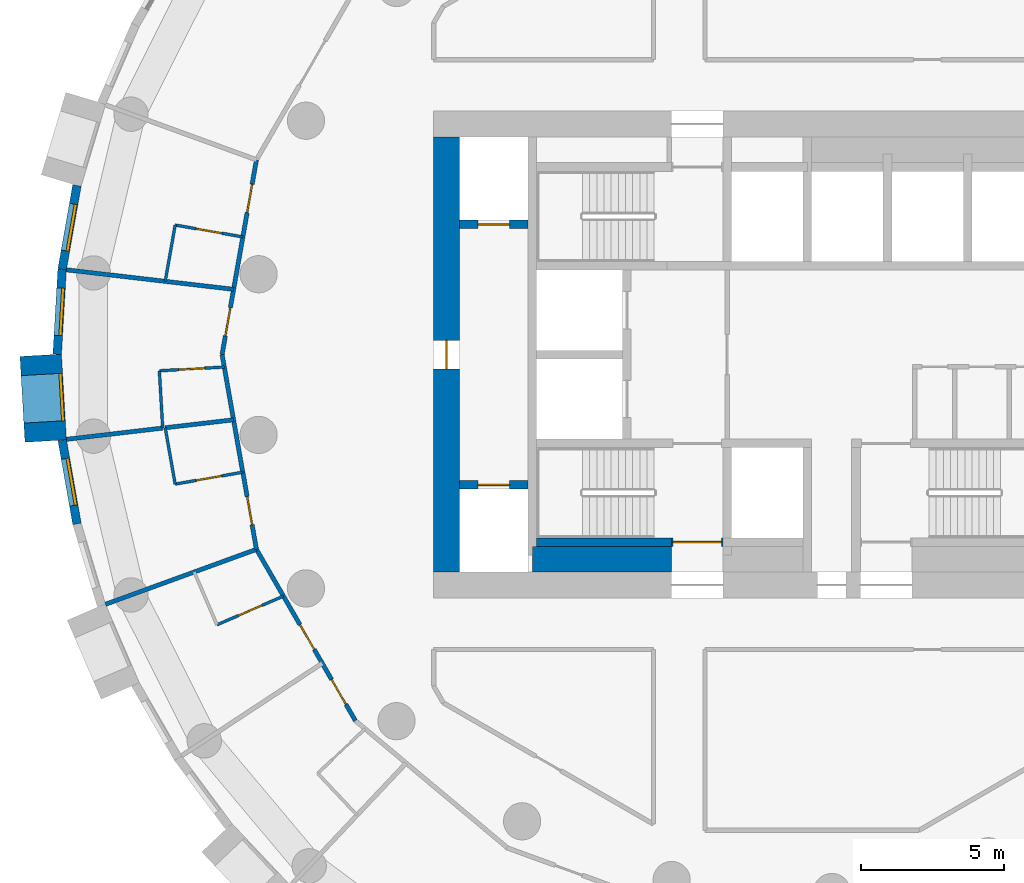
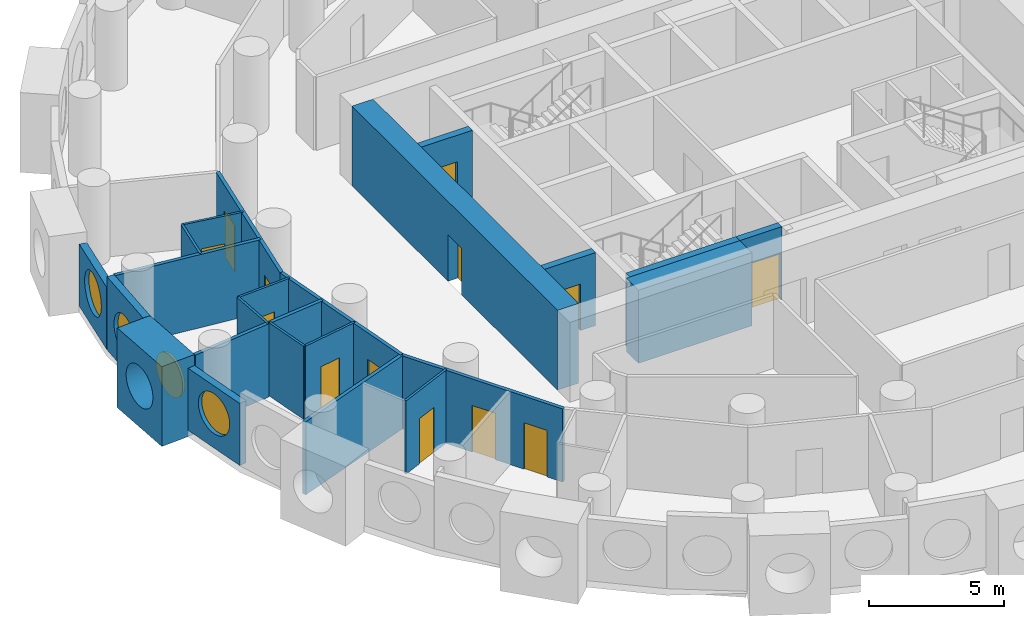
# One storey, part 3 of 9: 25 walls, 13 doors, 4 windows, 17 openings.
"""IFC4 building model written with IfcOpenShell, lengths in metres."""

from ifc_helpers import new_model, si_unit, direction, frame, frame_2d, origin, origin_2d, place, context, subcontext, project, spatial, rectangle, circle, extrude, material, layer, layer_set, type_object, element, fill, save


model = new_model("IFC4")

# Units and contexts
model_context = context("Model", 3, precision=1e-05, world=origin(), true_north=direction((0.0, 1.0)))
body_context = subcontext(model_context, "Body", "Model", "MODEL_VIEW")
ifc_project = project(units=[si_unit("LENGTHUNIT", "METRE"), si_unit("AREAUNIT", "SQUARE_METRE"), si_unit("VOLUMEUNIT", "CUBIC_METRE"), si_unit("PLANEANGLEUNIT", "RADIAN"), si_unit("MASSUNIT", "GRAM", prefix="KILO")], contexts=[model_context])

# Site, building, storey
site_placement = place(None, origin())
site = spatial("IfcSite", under=ifc_project, at=site_placement, CompositionType="ELEMENT")
building_placement = place(site_placement, origin())
building = spatial("IfcBuilding", under=site, at=building_placement, Name="Tracery Tower", CompositionType="ELEMENT")
storey_placement = place(building_placement, frame((0.0, 0.0, 208.800048828125)))
storey = spatial("IfcBuildingStorey", under=building, at=storey_placement, Name="L54", CompositionType="ELEMENT", Elevation=208.800048828125)

# Wall
ifc_material_1 = material(Name="Concrete C50/60", Category="concrete")
ifc_layer_1 = layer(ifc_material_1, 0.89990234375)
ifc_layer_set_1 = layer_set([ifc_layer_1], Name="Core strip wall 900 C50")
wall_type_1 = type_object("IfcWallType", Name="Core strip wall 900 C50", PredefinedType="SOLIDWALL", material=ifc_layer_set_1)
wall_1_placement = place(storey_placement, frame((-9.050048828125, -7.14990234375, 0.0), z_axis=(0.0, 0.0, 1.0), x_axis=(1.0, 0.0, 0.0)))
element("IfcWall", 1, at=wall_1_placement, inside=storey, type_object=wall_type_1, Name="L54 F thick S W", PredefinedType="SOLIDWALL", context=body_context, shape_type="SweptSolid", body=[
    extrude(rectangle(XDim=4.85009765625, YDim=0.89990234375, at=frame_2d((2.425048828125, 0.0))), origin(), (0.0, 0.0, 1.0), 3.300048828125),
])

# Wall, opening, door
ifc_material_2 = material(Name="Concrete C50/60", Category="concrete")
ifc_layer_2 = layer(ifc_material_2, 0.89990234375)
ifc_layer_set_2 = layer_set([ifc_layer_2], Name="Core wall 900 C50")
wall_type_2 = type_object("IfcWallType", Name="Core wall 900 C50", PredefinedType="SOLIDWALL", material=ifc_layer_set_2)
wall_2_placement = place(storey_placement, frame((-12.050048828125, -7.60009765625, 0.0), z_axis=(0.0, 0.0, 1.0), x_axis=(0.0, 1.0, 0.0)))
wall_2 = element("IfcWall", 2, at=wall_2_placement, inside=storey, type_object=wall_type_2, Name="L54 outer W", PredefinedType="SOLIDWALL", context=body_context, shape_type="SweptSolid", body=[
    extrude(rectangle(XDim=15.2001953125, YDim=0.89990234375, at=frame_2d((7.60009765625, 0.0))), origin(), (0.0, 0.0, 1.0), 3.599853515625),
])
opening_1_placement = place(wall_2_placement, frame((7.10009765625, 0.0, 0.0)))
opening_1 = element("IfcOpeningElement", 3, at=opening_1_placement, cuts=wall_2, Name="Opening KD18", PredefinedType="OPENING", context=body_context, shape_type="SweptSolid", body=[
    extrude(rectangle(XDim=1.0, YDim=2.10009765625, at=frame_2d((0.5, 1.050048828125))), frame((0.0, 0.449951171875, 0.0), z_axis=(0.0, -1.0, 0.0), x_axis=(1.0, 0.0, 0.0)), (0.0, 0.0, 1.0), 0.89990234375),
])
ifc_material_3 = material(Name="Steel fire door", Category="steel")
door_type_1 = type_object("IfcDoorType", Name="Core exit door 1000", OperationType="NOTDEFINED", PredefinedType="DOOR", material=ifc_material_3)
door_1_placement = place(opening_1_placement, origin())
door_1 = element("IfcDoor", 4, at=door_1_placement, inside=storey, type_object=door_type_1, Name="Core exit door", OperationType="DOUBLE_DOOR_SINGLE_SWING", OverallHeight=2.10009765625, OverallWidth=1.0, PredefinedType="DOOR", context=body_context, shape_type="SweptSolid", body=[
    extrude(rectangle(XDim=1.0, YDim=2.10009765625, at=frame_2d((0.5, 1.050048828125))), frame((0.0, 0.02490234375, 0.0), z_axis=(0.0, -1.0, 0.0), x_axis=(1.0, 0.0, 0.0)), (0.0, 0.0, 1.0), 0.050048828125),
])
fill(opening_1, door_1)

# Wall, opening, window
ifc_material_4 = material(Name="Precast concrete C50/60", Category="concrete")
ifc_layer_3 = layer(ifc_material_4, 1.449951171875)
ifc_layer_set_3 = layer_set([ifc_layer_3], Name="Deep-set bay unit 3000 x 3600, slab edge 300")
wall_type_3 = type_object("IfcWallType", Name="Deep-set bay unit 3000 x 3600, slab edge 300", PredefinedType="ELEMENTEDWALL", material=ifc_layer_set_3)
wall_3_placement = place(storey_placement, frame((-26.221923828125, -0.024658203125, -0.300048828125), z_axis=(0.0, 0.0, 1.0), x_axis=(0.058106596105, -0.998310384344, 0.0)))
wall_3 = element("IfcWall", 5, at=wall_3_placement, inside=storey, type_object=wall_type_3, Name="Deep-set bay unit 28 at L54", PredefinedType="ELEMENTEDWALL", context=body_context, shape_type="SweptSolid", body=[
    extrude(rectangle(XDim=3.0, YDim=1.449951171875, at=frame_2d((1.5, 0.0))), origin(), (0.0, 0.0, 1.0), 3.60009765625),
])
opening_2_placement = place(wall_3_placement, frame((1.5, 0.0, 1.85009765625)))
opening_2 = element("IfcOpeningElement", 6, at=opening_2_placement, cuts=wall_3, Name="Opening WN1", PredefinedType="OPENING", context=body_context, shape_type="SweptSolid", body=[
    extrude(circle(Radius=0.9000244140625, at=origin_2d()), frame((0.0, 0.73486328125, 0.0), z_axis=(0.0, -1.0, 0.0), x_axis=(1.0, 0.0, 0.0)), (0.0, 0.0, 1.0), 1.469970703125),
])
ifc_material_5 = material(Name="Aluminium frame with tinted double glazing", Category="aluminium")
window_type = type_object("IfcWindowType", Name="Round window 1800", PartitioningType="SINGLE_PANEL", PredefinedType="WINDOW", material=ifc_material_5)
window_1_placement = place(opening_2_placement, origin())
window_1 = element("IfcWindow", 7, at=window_1_placement, inside=storey, type_object=window_type, Name="Round window 28 at L54", OverallHeight=1.800048828125, OverallWidth=1.800048828125, PartitioningType="SINGLE_PANEL", PredefinedType="WINDOW", context=body_context, shape_type="SweptSolid", body=[
    extrude(circle(Radius=0.9000244140625, at=origin_2d()), frame((0.0, 0.69482421875, 0.0), z_axis=(0.0, -1.0, 0.0), x_axis=(1.0, 0.0, 0.0)), (0.0, 0.0, 1.0), 0.10009765625),
])
fill(opening_2, window_1)

ifc_material_6 = material(Name="Precast concrete C50/60", Category="concrete")
ifc_layer_4 = layer(ifc_material_6, 0.300048828125)
ifc_layer_set_4 = layer_set([ifc_layer_4], Name="Facade panel 3000 x 2800")
wall_type_4 = type_object("IfcWallType", Name="Facade panel 3000 x 2800", PredefinedType="SOLIDWALL", material=ifc_layer_set_4)
wall_4_placement = place(storey_placement, frame((-24.957763671875, 5.9052734375, 0.0), z_axis=(0.0, 0.0, 1.0), x_axis=(-0.173686952598, -0.984800915159, 0.0)))
wall_4 = element("IfcWall", 8, at=wall_4_placement, inside=storey, type_object=wall_type_4, Name="Facade panel 26 at L54", PredefinedType="SOLIDWALL", context=body_context, shape_type="SweptSolid", body=[
    extrude(rectangle(XDim=2.972900390625, YDim=0.300048828125, at=frame_2d((1.486328125, 0.0))), origin(), (0.0, 0.0, 1.0), 2.800048828125),
])
opening_3_placement = place(wall_4_placement, frame((1.486328125, 0.0, 1.5498046875)))
opening_3 = element("IfcOpeningElement", 9, at=opening_3_placement, cuts=wall_4, Name="Opening WN1", PredefinedType="OPENING", context=body_context, shape_type="SweptSolid", body=[
    extrude(circle(Radius=0.9000244140625, at=origin_2d()), frame((0.0, 0.159912109375, 0.0), z_axis=(0.0, -1.0, 0.0), x_axis=(1.0, 0.0, 0.0)), (0.0, 0.0, 1.0), 0.320068359375),
])
window_2_placement = place(opening_3_placement, origin())
window_2 = element("IfcWindow", 10, at=window_2_placement, inside=storey, type_object=window_type, Name="Round window 26 at L54", OverallHeight=1.800048828125, OverallWidth=1.800048828125, PartitioningType="SINGLE_PANEL", PredefinedType="WINDOW", context=body_context, shape_type="SweptSolid", body=[
    extrude(circle(Radius=0.9000244140625, at=origin_2d()), frame((0.0, 0.1201171875, 0.0), z_axis=(0.0, -1.0, 0.0), x_axis=(1.0, 0.0, 0.0)), (0.0, 0.0, 1.0), 0.10009765625),
])
fill(opening_3, window_2)

wall_5_placement = place(storey_placement, frame((-25.472412109375, -2.987060546875, 0.0), z_axis=(0.0, 0.0, 1.0), x_axis=(0.173686952598, -0.984800915159, 0.0)))
wall_5 = element("IfcWall", 11, at=wall_5_placement, inside=storey, type_object=wall_type_4, Name="Facade panel 29 at L54", PredefinedType="SOLIDWALL", context=body_context, shape_type="SweptSolid", body=[
    extrude(rectangle(XDim=2.972900390625, YDim=0.300048828125, at=frame_2d((1.486328125, 0.0))), origin(), (0.0, 0.0, 1.0), 2.800048828125),
])
opening_4_placement = place(wall_5_placement, frame((1.486328125, 0.0, 1.5498046875)))
opening_4 = element("IfcOpeningElement", 12, at=opening_4_placement, cuts=wall_5, Name="Opening WN1", PredefinedType="OPENING", context=body_context, shape_type="SweptSolid", body=[
    extrude(circle(Radius=0.9000244140625, at=origin_2d()), frame((0.0, 0.159912109375, 0.0), z_axis=(0.0, -1.0, 0.0), x_axis=(1.0, 0.0, 0.0)), (0.0, 0.0, 1.0), 0.320068359375),
])
window_3_placement = place(opening_4_placement, origin())
window_3 = element("IfcWindow", 13, at=window_3_placement, inside=storey, type_object=window_type, Name="Round window 29 at L54", OverallHeight=1.800048828125, OverallWidth=1.800048828125, PartitioningType="SINGLE_PANEL", PredefinedType="WINDOW", context=body_context, shape_type="SweptSolid", body=[
    extrude(circle(Radius=0.9000244140625, at=origin_2d()), frame((0.0, 0.1201171875, 0.0), z_axis=(0.0, -1.0, 0.0), x_axis=(1.0, 0.0, 0.0)), (0.0, 0.0, 1.0), 0.10009765625),
])
fill(opening_4, window_3)

ifc_material_7 = material(Name="Precast concrete C50/60", Category="concrete")
ifc_layer_5 = layer(ifc_material_7, 0.300048828125)
ifc_layer_set_5 = layer_set([ifc_layer_5], Name="Facade panel 3000 x 3300")
wall_type_5 = type_object("IfcWallType", Name="Facade panel 3000 x 3300", PredefinedType="SOLIDWALL", material=ifc_layer_set_5)
wall_6_placement = place(storey_placement, frame((-25.47412109375, 2.9775390625, 0.0), z_axis=(0.0, 0.0, 1.0), x_axis=(-0.058139540521, -0.998308466271, 0.0)))
wall_6 = element("IfcWall", 14, at=wall_6_placement, inside=storey, type_object=wall_type_5, Name="Facade panel 27 at L54", PredefinedType="SOLIDWALL", context=body_context, shape_type="SweptSolid", body=[
    extrude(rectangle(XDim=2.97314453125, YDim=0.300048828125, at=frame_2d((1.486572265625, 0.0))), origin(), (0.0, 0.0, 1.0), 3.300048828125),
])
opening_5_placement = place(wall_6_placement, frame((1.486328125, 0.0, 1.5498046875)))
opening_5 = element("IfcOpeningElement", 15, at=opening_5_placement, cuts=wall_6, Name="Opening WN1", PredefinedType="OPENING", context=body_context, shape_type="SweptSolid", body=[
    extrude(circle(Radius=0.9000244140625, at=origin_2d()), frame((0.0, 0.159912109375, 0.0), z_axis=(0.0, -1.0, 0.0), x_axis=(1.0, 0.0, 0.0)), (0.0, 0.0, 1.0), 0.320068359375),
])
window_4_placement = place(opening_5_placement, origin())
window_4 = element("IfcWindow", 16, at=window_4_placement, inside=storey, type_object=window_type, Name="Round window 27 at L54", OverallHeight=1.800048828125, OverallWidth=1.800048828125, PartitioningType="SINGLE_PANEL", PredefinedType="WINDOW", context=body_context, shape_type="SweptSolid", body=[
    extrude(circle(Radius=0.9000244140625, at=origin_2d()), frame((0.0, 0.1201171875, 0.0), z_axis=(0.0, -1.0, 0.0), x_axis=(1.0, 0.0, 0.0)), (0.0, 0.0, 1.0), 0.10009765625),
])
fill(opening_5, window_4)

# Wall, opening, door
ifc_material_8 = material(Name="Plasterboard on steel studs", Category="steel")
ifc_layer_6 = layer(ifc_material_8, 0.10009765625)
ifc_layer_set_6 = layer_set([ifc_layer_6], Name="Partition 100 wet wall")
wall_type_6 = type_object("IfcWallType", Name="Partition 100 wet wall", PredefinedType="PARTITIONING", material=ifc_layer_set_6)
wall_7_placement = place(storey_placement, frame((-21.527099609375, 4.52392578125, 0.0), z_axis=(0.0, 0.0, 1.0), x_axis=(0.9848663854, -0.173315327969, 0.0)))
wall_7 = element("IfcWall", 17, at=wall_7_placement, inside=storey, type_object=wall_type_6, Name="Wet wall RB8-045", PredefinedType="PARTITIONING", context=body_context, shape_type="SweptSolid", body=[
    extrude(rectangle(XDim=2.400390625, YDim=0.10009765625, at=frame_2d((1.2001953125, 0.0))), origin(), (0.0, 0.0, 1.0), 3.300048828125),
])
opening_6_placement = place(wall_7_placement, frame((0.750244140625, 0.0, 0.0)))
opening_6 = element("IfcOpeningElement", 18, at=opening_6_placement, cuts=wall_7, Name="Opening RB8-09", PredefinedType="OPENING", context=body_context, shape_type="SweptSolid", body=[
    extrude(rectangle(XDim=0.89990234375, YDim=2.0400390625, at=frame_2d((0.449951171875, 1.02001953125))), frame((0.0, 0.050048828125, 0.0), z_axis=(0.0, -1.0, 0.0), x_axis=(1.0, 0.0, 0.0)), (0.0, 0.0, 1.0), 0.10009765625),
])
ifc_material_9 = material(Name="Timber door leaf", Category="wood")
door_type_2 = type_object("IfcDoorType", Name="Door en-suite 900", OperationType="NOTDEFINED", PredefinedType="DOOR", material=ifc_material_9)
door_2_placement = place(opening_6_placement, origin())
door_2 = element("IfcDoor", 19, at=door_2_placement, inside=storey, type_object=door_type_2, Name="En-suite door RB8-09", OperationType="SINGLE_SWING_LEFT", OverallHeight=2.0400390625, OverallWidth=0.89990234375, PredefinedType="DOOR", context=body_context, shape_type="SweptSolid", body=[
    extrude(rectangle(XDim=0.89990234375, YDim=2.0400390625, at=frame_2d((0.449951171875, 1.02001953125))), frame((0.0, 0.02490234375, 0.0), z_axis=(0.0, -1.0, 0.0), x_axis=(1.0, 0.0, 0.0)), (0.0, 0.0, 1.0), 0.050048828125),
])
fill(opening_6, door_2)

# Wall
wall_8_placement = place(storey_placement, frame((-21.8740234375, 2.556884765625, 0.0), z_axis=(0.0, 0.0, 1.0), x_axis=(0.17368771375, 0.984800780916, 0.0)))
element("IfcWall", 20, at=wall_8_placement, inside=storey, type_object=wall_type_6, Name="Wet wall RB8-046", PredefinedType="PARTITIONING", context=body_context, shape_type="SweptSolid", body=[
    extrude(rectangle(XDim=1.997314453125, YDim=0.10009765625, at=frame_2d((0.99853515625, 0.0))), origin(), (0.0, 0.0, 1.0), 3.300048828125),
])

# Wall, opening, door
wall_9_placement = place(storey_placement, frame((-22.0791015625, -0.56689453125, 0.0), z_axis=(0.0, 0.0, 1.0), x_axis=(0.998314893836, 0.058029068102, 0.0)))
wall_9 = element("IfcWall", 21, at=wall_9_placement, inside=storey, type_object=wall_type_6, Name="Wet wall RB8-048", PredefinedType="PARTITIONING", context=body_context, shape_type="SweptSolid", body=[
    extrude(rectangle(XDim=2.27197265625, YDim=0.10009765625, at=frame_2d((1.135986328125, 0.0))), origin(), (0.0, 0.0, 1.0), 3.300048828125),
])
opening_7_placement = place(wall_9_placement, frame((0.685791015625, 0.0, 0.0)))
opening_7 = element("IfcOpeningElement", 22, at=opening_7_placement, cuts=wall_9, Name="Opening RB8-11", PredefinedType="OPENING", context=body_context, shape_type="SweptSolid", body=[
    extrude(rectangle(XDim=0.89990234375, YDim=2.0400390625, at=frame_2d((0.449951171875, 1.02001953125))), frame((0.0, 0.050048828125, 0.0), z_axis=(0.0, -1.0, 0.0), x_axis=(1.0, 0.0, 0.0)), (0.0, 0.0, 1.0), 0.10009765625),
])
door_3_placement = place(opening_7_placement, origin())
door_3 = element("IfcDoor", 23, at=door_3_placement, inside=storey, type_object=door_type_2, Name="En-suite door RB8-11", OperationType="SINGLE_SWING_RIGHT", OverallHeight=2.0400390625, OverallWidth=0.89990234375, PredefinedType="DOOR", context=body_context, shape_type="SweptSolid", body=[
    extrude(rectangle(XDim=0.89990234375, YDim=2.0400390625, at=frame_2d((0.449951171875, 1.02001953125))), frame((0.0, 0.02490234375, 0.0), z_axis=(0.0, -1.0, 0.0), x_axis=(1.0, 0.0, 0.0)), (0.0, 0.0, 1.0), 0.050048828125),
])
fill(opening_7, door_3)

# Walls
wall_10_placement = place(storey_placement, frame((-22.0791015625, -0.56689453125, 0.0), z_axis=(0.0, 0.0, 1.0), x_axis=(0.058493425416, -0.998287793766, 0.0)))
element("IfcWall", 24, at=wall_10_placement, inside=storey, type_object=wall_type_6, Name="Wet wall RB8-049", PredefinedType="PARTITIONING", context=body_context, shape_type="SweptSolid", body=[
    extrude(rectangle(XDim=2.00341796875, YDim=0.10009765625, at=frame_2d((1.001708984375, 0.0))), origin(), (0.0, 0.0, 1.0), 3.300048828125),
])
wall_11_placement = place(storey_placement, frame((-21.8740234375, -2.556884765625, 0.0), z_axis=(0.0, 0.0, 1.0), x_axis=(0.17368771375, -0.984800780916, 0.0)))
element("IfcWall", 25, at=wall_11_placement, inside=storey, type_object=wall_type_6, Name="Wet wall RB8-052", PredefinedType="PARTITIONING", context=body_context, shape_type="SweptSolid", body=[
    extrude(rectangle(XDim=1.997314453125, YDim=0.10009765625, at=frame_2d((0.99853515625, 0.0))), origin(), (0.0, 0.0, 1.0), 3.300048828125),
])

# Wall, opening, door
wall_12_placement = place(storey_placement, frame((-21.527099609375, -4.52392578125, 0.0), z_axis=(0.0, 0.0, 1.0), x_axis=(0.9848663854, 0.173315327969, 0.0)))
wall_12 = element("IfcWall", 26, at=wall_12_placement, inside=storey, type_object=wall_type_6, Name="Wet wall RB8-053", PredefinedType="PARTITIONING", context=body_context, shape_type="SweptSolid", body=[
    extrude(rectangle(XDim=2.400390625, YDim=0.10009765625, at=frame_2d((1.2001953125, 0.0))), origin(), (0.0, 0.0, 1.0), 3.300048828125),
])
opening_8_placement = place(wall_12_placement, frame((0.75, 0.0, 0.0)))
opening_8 = element("IfcOpeningElement", 27, at=opening_8_placement, cuts=wall_12, Name="Opening RB8-13", PredefinedType="OPENING", context=body_context, shape_type="SweptSolid", body=[
    extrude(rectangle(XDim=0.89990234375, YDim=2.0400390625, at=frame_2d((0.449951171875, 1.02001953125))), frame((0.0, 0.050048828125, 0.0), z_axis=(0.0, -1.0, 0.0), x_axis=(1.0, 0.0, 0.0)), (0.0, 0.0, 1.0), 0.10009765625),
])
door_4_placement = place(opening_8_placement, origin())
door_4 = element("IfcDoor", 28, at=door_4_placement, inside=storey, type_object=door_type_2, Name="En-suite door RB8-13", OperationType="SINGLE_SWING_LEFT", OverallHeight=2.0400390625, OverallWidth=0.89990234375, PredefinedType="DOOR", context=body_context, shape_type="SweptSolid", body=[
    extrude(rectangle(XDim=0.89990234375, YDim=2.0400390625, at=frame_2d((0.449951171875, 1.02001953125))), frame((0.0, 0.02490234375, 0.0), z_axis=(0.0, -1.0, 0.0), x_axis=(1.0, 0.0, 0.0)), (0.0, 0.0, 1.0), 0.050048828125),
])
fill(opening_8, door_4)

wall_13_placement = place(storey_placement, frame((-20.06689453125, -9.43701171875, 0.0), z_axis=(0.0, 0.0, 1.0), x_axis=(0.918293825202, 0.395899546091, 0.0)))
wall_13 = element("IfcWall", 29, at=wall_13_placement, inside=storey, type_object=wall_type_6, Name="Wet wall RB8-056", PredefinedType="PARTITIONING", context=body_context, shape_type="SweptSolid", body=[
    extrude(rectangle(XDim=2.5283203125, YDim=0.10009765625, at=frame_2d((1.26416015625, 0.0))), origin(), (0.0, 0.0, 1.0), 3.300048828125),
])
opening_9_placement = place(wall_13_placement, frame((0.81396484375, 0.0, 0.0)))
opening_9 = element("IfcOpeningElement", 30, at=opening_9_placement, cuts=wall_13, Name="Opening RB8-15", PredefinedType="OPENING", context=body_context, shape_type="SweptSolid", body=[
    extrude(rectangle(XDim=0.89990234375, YDim=2.0400390625, at=frame_2d((0.449951171875, 1.02001953125))), frame((0.0, 0.050048828125, 0.0), z_axis=(0.0, -1.0, 0.0), x_axis=(1.0, 0.0, 0.0)), (0.0, 0.0, 1.0), 0.10009765625),
])
door_5_placement = place(opening_9_placement, origin())
door_5 = element("IfcDoor", 31, at=door_5_placement, inside=storey, type_object=door_type_2, Name="En-suite door RB8-15", OperationType="SINGLE_SWING_LEFT", OverallHeight=2.0400390625, OverallWidth=0.89990234375, PredefinedType="DOOR", context=body_context, shape_type="SweptSolid", body=[
    extrude(rectangle(XDim=0.89990234375, YDim=2.0400390625, at=frame_2d((0.449951171875, 1.02001953125))), frame((0.0, 0.02490234375, 0.0), z_axis=(0.0, -1.0, 0.0), x_axis=(1.0, 0.0, 0.0)), (0.0, 0.0, 1.0), 0.050048828125),
])
fill(opening_9, door_5)

# Walls
ifc_material_10 = material(Name="Plasterboard on steel studs", Category="steel")
ifc_layer_7 = layer(ifc_material_10, 0.14990234375)
ifc_layer_set_7 = layer_set([ifc_layer_7], Name="Partition 150 acoustic unit wall")
wall_type_7 = type_object("IfcWallType", Name="Partition 150 acoustic unit wall", PredefinedType="PARTITIONING", material=ifc_layer_set_7)
wall_14_placement = place(storey_placement, frame((-25.324951171875, 2.9599609375, 0.0), z_axis=(0.0, 0.0, 1.0), x_axis=(0.993249747924, -0.115995423397, 0.0)))
element("IfcWall", 32, at=wall_14_placement, inside=storey, type_object=wall_type_7, Name="Unit wall RB8-047", PredefinedType="PARTITIONING", context=body_context, shape_type="SweptSolid", body=[
    extrude(rectangle(XDim=5.878662109375, YDim=0.14990234375, at=frame_2d((2.939453125, 0.0))), origin(), (0.0, 0.0, 1.0), 3.300048828125),
])
wall_15_placement = place(storey_placement, frame((-25.324951171875, -2.9599609375, 0.0), z_axis=(0.0, 0.0, 1.0), x_axis=(0.993238911344, 0.11608817766, 0.0)))
element("IfcWall", 33, at=wall_15_placement, inside=storey, type_object=wall_type_7, Name="Unit wall RB8-050", PredefinedType="PARTITIONING", context=body_context, shape_type="SweptSolid", body=[
    extrude(rectangle(XDim=3.385986328125, YDim=0.14990234375, at=frame_2d((1.69287109375, 0.0))), origin(), (0.0, 0.0, 1.0), 3.300048828125),
])
wall_16_placement = place(storey_placement, frame((-21.8779296875, -2.556884765625, 0.0), z_axis=(0.0, 0.0, 1.0), x_axis=(0.99327460921, 0.115782341913, 0.0)))
element("IfcWall", 34, at=wall_16_placement, inside=storey, type_object=wall_type_7, Name="Unit wall RB8-051", PredefinedType="PARTITIONING", context=body_context, shape_type="SweptSolid", body=[
    extrude(rectangle(XDim=2.407958984375, YDim=0.14990234375, at=frame_2d((1.2041015625, 0.0))), origin(), (0.0, 0.0, 1.0), 3.300048828125),
])
wall_17_placement = place(storey_placement, frame((-23.9599609375, -8.720947265625, 0.0), z_axis=(0.0, 0.0, 1.0), x_axis=(0.939700637852, 0.341998115814, 0.0)))
element("IfcWall", 35, at=wall_17_placement, inside=storey, type_object=wall_type_7, Name="Unit wall RB8-054", PredefinedType="PARTITIONING", context=body_context, shape_type="SweptSolid", body=[
    extrude(rectangle(XDim=5.6103515625, YDim=0.14990234375, at=frame_2d((2.80517578125, 0.0))), origin(), (0.0, 0.0, 1.0), 3.300048828125),
])

# Wall, openings, doors
ifc_material_11 = material(Name="Plasterboard on steel studs", Category="steel")
ifc_layer_8 = layer(ifc_material_11, 0.14990234375)
ifc_layer_set_8 = layer_set([ifc_layer_8], Name="Partition 150 corridor wall")
wall_type_8 = type_object("IfcWallType", Name="Partition 150 corridor wall", PredefinedType="PARTITIONING", material=ifc_layer_set_8)
wall_18_placement = place(storey_placement, frame((-19.88818359375, 0.0, 0.0), z_axis=(0.0, 0.0, 1.0), x_axis=(0.173763153374, 0.984787472772, 0.0)))
wall_18 = element("IfcWall", 36, at=wall_18_placement, inside=storey, type_object=wall_type_8, Name="Corridor wall RB8-027", PredefinedType="PARTITIONING", context=body_context, shape_type="SweptSolid", body=[
    extrude(rectangle(XDim=6.906982421875, YDim=0.14990234375, at=frame_2d((3.45361328125, 0.0))), origin(), (0.0, 0.0, 1.0), 3.300048828125),
])
opening_10_placement = place(wall_18_placement, frame((5.037353515625, 0.0, 0.0)))
opening_10 = element("IfcOpeningElement", 37, at=opening_10_placement, cuts=wall_18, Name="Opening RB8-10", PredefinedType="OPENING", context=body_context, shape_type="SweptSolid", body=[
    extrude(rectangle(XDim=1.0, YDim=2.10009765625, at=frame_2d((0.5, 1.050048828125))), frame((0.0, 0.074951171875, 0.0), z_axis=(0.0, -1.0, 0.0), x_axis=(1.0, 0.0, 0.0)), (0.0, 0.0, 1.0), 0.14990234375),
])
opening_11_placement = place(wall_18_placement, frame((0.658935546875, 0.0, 0.0)))
opening_11 = element("IfcOpeningElement", 38, at=opening_11_placement, cuts=wall_18, Name="Opening RB8-12", PredefinedType="OPENING", context=body_context, shape_type="SweptSolid", body=[
    extrude(rectangle(XDim=1.0, YDim=2.10009765625, at=frame_2d((0.5, 1.050048828125))), frame((0.0, 0.074951171875, 0.0), z_axis=(0.0, -1.0, 0.0), x_axis=(1.0, 0.0, 0.0)), (0.0, 0.0, 1.0), 0.14990234375),
])
ifc_material_12 = material(Name="Timber door leaf", Category="wood")
door_type_3 = type_object("IfcDoorType", Name="Door unit entrance 1000", OperationType="NOTDEFINED", PredefinedType="DOOR", material=ifc_material_12)
door_6_placement = place(opening_10_placement, origin())
door_6 = element("IfcDoor", 39, at=door_6_placement, inside=storey, type_object=door_type_3, Name="Unit entrance door RB8-10", OperationType="SINGLE_SWING_RIGHT", OverallHeight=2.10009765625, OverallWidth=1.0, PredefinedType="DOOR", context=body_context, shape_type="SweptSolid", body=[
    extrude(rectangle(XDim=1.0, YDim=2.10009765625, at=frame_2d((0.5, 1.050048828125))), frame((0.0, 0.02490234375, 0.0), z_axis=(0.0, -1.0, 0.0), x_axis=(1.0, 0.0, 0.0)), (0.0, 0.0, 1.0), 0.050048828125),
])
fill(opening_10, door_6)
door_7_placement = place(opening_11_placement, origin())
door_7 = element("IfcDoor", 40, at=door_7_placement, inside=storey, type_object=door_type_3, Name="Unit entrance door RB8-12", OperationType="SINGLE_SWING_RIGHT", OverallHeight=2.10009765625, OverallWidth=1.0, PredefinedType="DOOR", context=body_context, shape_type="SweptSolid", body=[
    extrude(rectangle(XDim=1.0, YDim=2.10009765625, at=frame_2d((0.5, 1.050048828125))), frame((0.0, 0.02490234375, 0.0), z_axis=(0.0, -1.0, 0.0), x_axis=(1.0, 0.0, 0.0)), (0.0, 0.0, 1.0), 0.050048828125),
])
fill(opening_11, door_7)

# Wall
wall_19_placement = place(storey_placement, frame((-19.887939453125, 0.0, 0.0), z_axis=(0.0, 0.0, 1.0), x_axis=(0.1727845501, -0.984959643461, 0.0)))
element("IfcWall", 41, at=wall_19_placement, inside=storey, type_object=wall_type_8, Name="Corridor wall RB8-028", PredefinedType="PARTITIONING", context=body_context, shape_type="SweptSolid", body=[
    extrude(rectangle(XDim=4.17529296875, YDim=0.14990234375, at=frame_2d((2.087646484375, 0.0))), origin(), (0.0, 0.0, 1.0), 3.300048828125),
])

# Wall, opening, door
wall_20_placement = place(storey_placement, frame((-19.1640625, -4.10400390625, 0.0), z_axis=(0.0, 0.0, 1.0), x_axis=(0.173770083029, -0.984786250028, 0.0)))
wall_20 = element("IfcWall", 42, at=wall_20_placement, inside=storey, type_object=wall_type_8, Name="Corridor wall RB8-029", PredefinedType="PARTITIONING", context=body_context, shape_type="SweptSolid", body=[
    extrude(rectangle(XDim=2.73974609375, YDim=0.14990234375, at=frame_2d((1.369873046875, 0.0))), origin(), (0.0, 0.0, 1.0), 3.300048828125),
])
opening_12_placement = place(wall_20_placement, frame((0.86962890625, 0.0, 0.0)))
opening_12 = element("IfcOpeningElement", 43, at=opening_12_placement, cuts=wall_20, Name="Opening RB8-14", PredefinedType="OPENING", context=body_context, shape_type="SweptSolid", body=[
    extrude(rectangle(XDim=1.0, YDim=2.10009765625, at=frame_2d((0.5, 1.050048828125))), frame((0.0, 0.074951171875, 0.0), z_axis=(0.0, -1.0, 0.0), x_axis=(1.0, 0.0, 0.0)), (0.0, 0.0, 1.0), 0.14990234375),
])
door_8_placement = place(opening_12_placement, origin())
door_8 = element("IfcDoor", 44, at=door_8_placement, inside=storey, type_object=door_type_3, Name="Unit entrance door RB8-14", OperationType="SINGLE_SWING_RIGHT", OverallHeight=2.10009765625, OverallWidth=1.0, PredefinedType="DOOR", context=body_context, shape_type="SweptSolid", body=[
    extrude(rectangle(XDim=1.0, YDim=2.10009765625, at=frame_2d((0.5, 1.050048828125))), frame((0.0, 0.02490234375, 0.0), z_axis=(0.0, -1.0, 0.0), x_axis=(1.0, 0.0, 0.0)), (0.0, 0.0, 1.0), 0.050048828125),
])
fill(opening_12, door_8)

# Wall, openings, doors
wall_21_placement = place(storey_placement, frame((-18.68798828125, -6.802001953125, 0.0), z_axis=(0.0, 0.0, 1.0), x_axis=(0.500009041241, -0.866020183759, 0.0)))
wall_21 = element("IfcWall", 45, at=wall_21_placement, inside=storey, type_object=wall_type_8, Name="Corridor wall RB8-030", PredefinedType="PARTITIONING", context=body_context, shape_type="SweptSolid", body=[
    extrude(rectangle(XDim=6.906982421875, YDim=0.14990234375, at=frame_2d((3.45361328125, 0.0))), origin(), (0.0, 0.0, 1.0), 3.300048828125),
])
opening_13_placement = place(wall_21_placement, frame((3.0400390625, 0.0, 0.0)))
opening_13 = element("IfcOpeningElement", 46, at=opening_13_placement, cuts=wall_21, Name="Opening RB8-16", PredefinedType="OPENING", context=body_context, shape_type="SweptSolid", body=[
    extrude(rectangle(XDim=1.0, YDim=2.10009765625, at=frame_2d((0.5, 1.050048828125))), frame((0.0, 0.074951171875, 0.0), z_axis=(0.0, -1.0, 0.0), x_axis=(1.0, 0.0, 0.0)), (0.0, 0.0, 1.0), 0.14990234375),
])
opening_14_placement = place(wall_21_placement, frame((5.2490234375, 0.0, 0.0)))
opening_14 = element("IfcOpeningElement", 47, at=opening_14_placement, cuts=wall_21, Name="Opening RB8-18", PredefinedType="OPENING", context=body_context, shape_type="SweptSolid", body=[
    extrude(rectangle(XDim=1.0, YDim=2.10009765625, at=frame_2d((0.5, 1.050048828125))), frame((0.0, 0.074951171875, 0.0), z_axis=(0.0, -1.0, 0.0), x_axis=(1.0, 0.0, 0.0)), (0.0, 0.0, 1.0), 0.14990234375),
])
door_9_placement = place(opening_13_placement, origin())
door_9 = element("IfcDoor", 48, at=door_9_placement, inside=storey, type_object=door_type_3, Name="Unit entrance door RB8-16", OperationType="SINGLE_SWING_LEFT", OverallHeight=2.10009765625, OverallWidth=1.0, PredefinedType="DOOR", context=body_context, shape_type="SweptSolid", body=[
    extrude(rectangle(XDim=1.0, YDim=2.10009765625, at=frame_2d((0.5, 1.050048828125))), frame((0.0, 0.02490234375, 0.0), z_axis=(0.0, -1.0, 0.0), x_axis=(1.0, 0.0, 0.0)), (0.0, 0.0, 1.0), 0.050048828125),
])
fill(opening_13, door_9)
door_10_placement = place(opening_14_placement, origin())
door_10 = element("IfcDoor", 49, at=door_10_placement, inside=storey, type_object=door_type_3, Name="Unit entrance door RB8-18", OperationType="SINGLE_SWING_LEFT", OverallHeight=2.10009765625, OverallWidth=1.0, PredefinedType="DOOR", context=body_context, shape_type="SweptSolid", body=[
    extrude(rectangle(XDim=1.0, YDim=2.10009765625, at=frame_2d((0.5, 1.050048828125))), frame((0.0, 0.02490234375, 0.0), z_axis=(0.0, -1.0, 0.0), x_axis=(1.0, 0.0, 0.0)), (0.0, 0.0, 1.0), 0.050048828125),
])
fill(opening_14, door_10)

# Wall, opening, door
ifc_material_13 = material(Name="Concrete C50/60", Category="concrete")
ifc_layer_9 = layer(ifc_material_13, 0.300048828125)
ifc_layer_set_9 = layer_set([ifc_layer_9], Name="Shaft wall 300 C50")
wall_type_9 = type_object("IfcWallType", Name="Shaft wall 300 C50", PredefinedType="SOLIDWALL", material=ifc_layer_set_9)
wall_22_placement = place(storey_placement, frame((-11.60009765625, -4.550048828125, 0.0), z_axis=(0.0, 0.0, 1.0), x_axis=(1.0, 0.0, 0.0)))
wall_22 = element("IfcWall", 50, at=wall_22_placement, inside=storey, type_object=wall_type_9, Name="L54 MR W -4.55", PredefinedType="SOLIDWALL", context=body_context, shape_type="SweptSolid", body=[
    extrude(rectangle(XDim=2.400146484375, YDim=0.300048828125, at=frame_2d((1.2001953125, 0.0))), origin(), (0.0, 0.0, 1.0), 3.300048828125),
])
opening_15_placement = place(wall_22_placement, frame((0.64990234375, 0.0, 0.0)))
opening_15 = element("IfcOpeningElement", 51, at=opening_15_placement, cuts=wall_22, Name="Opening KD50", PredefinedType="OPENING", context=body_context, shape_type="SweptSolid", body=[
    extrude(rectangle(XDim=1.10009765625, YDim=2.10009765625, at=frame_2d((0.550048828125, 1.050048828125))), frame((0.0, 0.14990234375, 0.0), z_axis=(0.0, -1.0, 0.0), x_axis=(1.0, 0.0, 0.0)), (0.0, 0.0, 1.0), 0.300048828125),
])
ifc_material_14 = material(Name="Steel fire door", Category="steel")
door_type_4 = type_object("IfcDoorType", Name="Landing door 1100", OperationType="NOTDEFINED", PredefinedType="DOOR", material=ifc_material_14)
door_11_placement = place(opening_15_placement, origin())
door_11 = element("IfcDoor", 52, at=door_11_placement, inside=storey, type_object=door_type_4, Name="Landing door MR1", OperationType="SLIDING_TO_RIGHT", OverallHeight=2.10009765625, OverallWidth=1.10009765625, PredefinedType="DOOR", context=body_context, shape_type="SweptSolid", body=[
    extrude(rectangle(XDim=1.10009765625, YDim=2.10009765625, at=frame_2d((0.550048828125, 1.050048828125))), frame((0.0, 0.02490234375, 0.0), z_axis=(0.0, -1.0, 0.0), x_axis=(1.0, 0.0, 0.0)), (0.0, 0.0, 1.0), 0.050048828125),
])
fill(opening_15, door_11)

wall_23_placement = place(storey_placement, frame((-11.60009765625, 4.550048828125, 0.0), z_axis=(0.0, 0.0, 1.0), x_axis=(1.0, 0.0, 0.0)))
wall_23 = element("IfcWall", 53, at=wall_23_placement, inside=storey, type_object=wall_type_9, Name="L54 MR W +4.55", PredefinedType="SOLIDWALL", context=body_context, shape_type="SweptSolid", body=[
    extrude(rectangle(XDim=2.400146484375, YDim=0.300048828125, at=frame_2d((1.2001953125, 0.0))), origin(), (0.0, 0.0, 1.0), 3.300048828125),
])
opening_16_placement = place(wall_23_placement, frame((0.64990234375, 0.0, 0.0)))
opening_16 = element("IfcOpeningElement", 54, at=opening_16_placement, cuts=wall_23, Name="Opening KD49", PredefinedType="OPENING", context=body_context, shape_type="SweptSolid", body=[
    extrude(rectangle(XDim=1.10009765625, YDim=2.10009765625, at=frame_2d((0.550048828125, 1.050048828125))), frame((0.0, 0.14990234375, 0.0), z_axis=(0.0, -1.0, 0.0), x_axis=(1.0, 0.0, 0.0)), (0.0, 0.0, 1.0), 0.300048828125),
])
door_12_placement = place(opening_16_placement, origin())
door_12 = element("IfcDoor", 55, at=door_12_placement, inside=storey, type_object=door_type_4, Name="Landing door MR2", OperationType="SLIDING_TO_LEFT", OverallHeight=2.10009765625, OverallWidth=1.10009765625, PredefinedType="DOOR", context=body_context, shape_type="SweptSolid", body=[
    extrude(rectangle(XDim=1.10009765625, YDim=2.10009765625, at=frame_2d((0.550048828125, 1.050048828125))), frame((0.0, 0.02490234375, 0.0), z_axis=(0.0, -1.0, 0.0), x_axis=(1.0, 0.0, 0.0)), (0.0, 0.0, 1.0), 0.050048828125),
])
fill(opening_16, door_12)

# Wall
ifc_material_15 = material(Name="Concrete C50/60", Category="concrete")
ifc_layer_10 = layer(ifc_material_15, 0.300048828125)
ifc_layer_set_10 = layer_set([ifc_layer_10], Name="Stair wall 300 C50")
wall_type_10 = type_object("IfcWallType", Name="Stair wall 300 C50", PredefinedType="SOLIDWALL", material=ifc_layer_set_10)
wall_24_placement = place(storey_placement, frame((-8.89990234375, -6.550048828125, 0.0), z_axis=(0.0, 0.0, 1.0), x_axis=(1.0, 0.0, 0.0)))
element("IfcWall", 56, at=wall_24_placement, inside=storey, type_object=wall_type_10, Name="L54 F stair strip S W", PredefinedType="SOLIDWALL", context=body_context, shape_type="SweptSolid", body=[
    extrude(rectangle(XDim=4.699951171875, YDim=0.300048828125, at=frame_2d((2.35009765625, 0.0))), origin(), (0.0, 0.0, 1.0), 3.300048828125),
])

# Wall, opening, door
wall_25_placement = place(storey_placement, frame((-4.199951171875, -6.550048828125, 0.0), z_axis=(0.0, 0.0, 1.0), x_axis=(1.0, 0.0, 0.0)))
wall_25 = element("IfcWall", 57, at=wall_25_placement, inside=storey, type_object=wall_type_10, Name="L54 F stair S W", PredefinedType="SOLIDWALL", context=body_context, shape_type="SweptSolid", body=[
    extrude(rectangle(XDim=1.800048828125, YDim=0.300048828125, at=frame_2d((0.89990234375, 0.0))), origin(), (0.0, 0.0, 1.0), 3.300048828125),
])
opening_17_placement = place(wall_25_placement, frame((0.050048828125, 0.0, 0.0)))
opening_17 = element("IfcOpeningElement", 58, at=opening_17_placement, cuts=wall_25, Name="Opening KD3", PredefinedType="OPENING", context=body_context, shape_type="SweptSolid", body=[
    extrude(rectangle(XDim=1.699951171875, YDim=2.10009765625, at=frame_2d((0.85009765625, 1.050048828125))), frame((0.0, 0.14990234375, 0.0), z_axis=(0.0, -1.0, 0.0), x_axis=(1.0, 0.0, 0.0)), (0.0, 0.0, 1.0), 0.300048828125),
])
ifc_material_16 = material(Name="Steel fire door", Category="steel")
door_type_5 = type_object("IfcDoorType", Name="Core stair door 1700 double", OperationType="NOTDEFINED", PredefinedType="DOOR", material=ifc_material_16)
door_13_placement = place(opening_17_placement, origin())
door_13 = element("IfcDoor", 59, at=door_13_placement, inside=storey, type_object=door_type_5, Name="Stair door vest", OperationType="DOUBLE_DOOR_SINGLE_SWING", OverallHeight=2.10009765625, OverallWidth=1.699951171875, PredefinedType="DOOR", context=body_context, shape_type="SweptSolid", body=[
    extrude(rectangle(XDim=1.699951171875, YDim=2.10009765625, at=frame_2d((0.85009765625, 1.050048828125))), frame((0.0, 0.02490234375, 0.0), z_axis=(0.0, -1.0, 0.0), x_axis=(1.0, 0.0, 0.0)), (0.0, 0.0, 1.0), 0.050048828125),
])
fill(opening_17, door_13)

save(model, "model.ifc")
